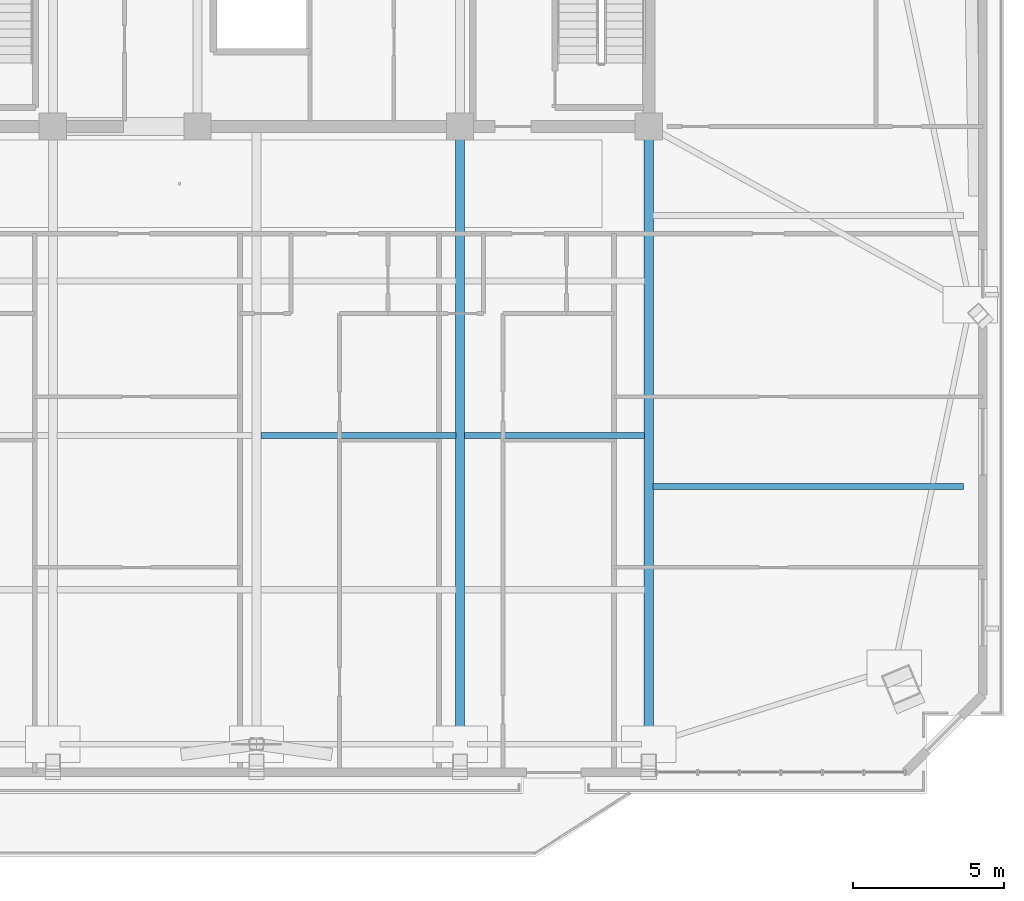
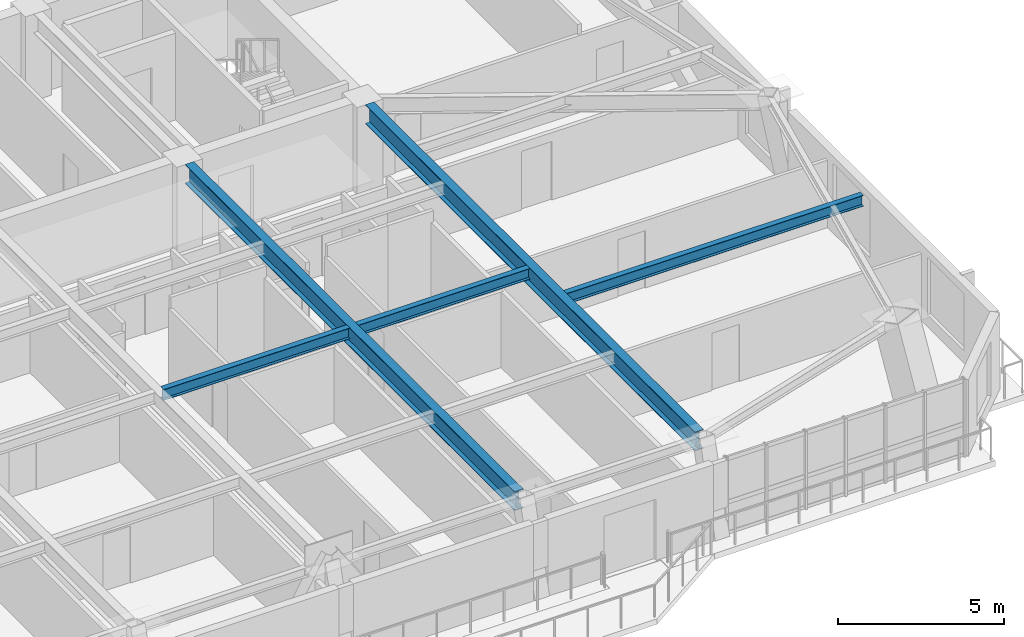
# One storey, part 5 of 18: 5 beams.
"""IFC4 building model written with IfcOpenShell, lengths in metres."""

from ifc_helpers import new_model, si_unit, direction, frame, origin, origin_2d, place, context, subcontext, project, spatial, i_section, extrude, source, transform, mapped, material, material_profile, profile_set, type_object, element, save


model = new_model("IFC4")

# Units and contexts
model_context = context("Model", 3, precision=1e-05, world=origin(), true_north=direction((0.0, 1.0)))
body_context = subcontext(model_context, "Body", "Model", "MODEL_VIEW")
ifc_project = project(units=[si_unit("LENGTHUNIT", "METRE"), si_unit("AREAUNIT", "SQUARE_METRE"), si_unit("VOLUMEUNIT", "CUBIC_METRE"), si_unit("PLANEANGLEUNIT", "RADIAN"), si_unit("MASSUNIT", "GRAM", prefix="KILO")], contexts=[model_context])

# Site, building, storey
site_placement = place(None, origin())
site = spatial("IfcSite", under=ifc_project, at=site_placement, CompositionType="ELEMENT")
building_placement = place(site_placement, origin())
building = spatial("IfcBuilding", under=site, at=building_placement, Name="Giltprow Tower", CompositionType="ELEMENT")
storey_placement = place(building_placement, frame((0.0, 0.0, 265.5)))
storey = spatial("IfcBuildingStorey", under=building, at=storey_placement, Name="L68", CompositionType="ELEMENT", Elevation=265.5)

# Beams
ifc_material = material(Name="Structural steel Q355B", Category="steel")
ifc_material_profile_1 = material_profile(ifc_material, i_section(OverallWidth=0.199951171875, OverallDepth=0.39990234375, WebThickness=0.008056640625, FlangeThickness=0.012939453125, at=origin_2d()), Name="HN 400x200x8x13")
ifc_profile_set_1 = profile_set([ifc_material_profile_1], Name="Structural steel Q355B")
beam_type_1 = type_object("IfcBeamType", Name="BM-JOIST-HN400", PredefinedType="JOIST", material=ifc_profile_set_1)
shared_shape_1 = source(origin(), body_context, "Body", "SweptSolid", [
    extrude(i_section(OverallWidth=0.199951171875, OverallDepth=0.39990234375, WebThickness=0.008056640625, FlangeThickness=0.012939453125, at=origin_2d()), origin(), (0.0, 0.0, 1.0), 6.4599609375),
])
beam_1_placement = place(storey_placement, frame((37.695068359375, 27.212890625, 2.985107421875), z_axis=(1.0, 0.0, 0.0), x_axis=(0.0, 1.0, 0.0)))
element("IfcBeam", 1, at=beam_1_placement, inside=storey, type_object=beam_type_1, Name="L68 Composite Floor Joist 2-3", PredefinedType="JOIST", context=body_context, shape_type="MappedRepresentation", body=[
    mapped(shared_shape_1, transform((0.0, 0.0, 0.0), x_axis=(1.0, 0.0, 0.0), y_axis=(0.0, 1.0, 0.0), z_axis=(0.0, 0.0, 1.0), scale=1.0)),
])
shared_shape_2 = source(origin(), body_context, "Body", "SweptSolid", [
    extrude(i_section(OverallWidth=0.199951171875, OverallDepth=0.39990234375, WebThickness=0.008056640625, FlangeThickness=0.012939453125, at=origin_2d()), origin(), (0.0, 0.0, 1.0), 5.9599609375),
])
beam_2_placement = place(storey_placement, frame((44.445068359375, 27.212890625, 2.985107421875), z_axis=(1.0, 0.0, 0.0), x_axis=(0.0, 1.0, 0.0)))
element("IfcBeam", 2, at=beam_2_placement, inside=storey, type_object=beam_type_1, Name="L68 Composite Floor Joist 2-4", PredefinedType="JOIST", context=body_context, shape_type="MappedRepresentation", body=[
    mapped(shared_shape_2, transform((0.0, 0.0, 0.0), x_axis=(1.0, 0.0, 0.0), y_axis=(0.0, 1.0, 0.0), z_axis=(0.0, 0.0, 1.0), scale=1.0)),
])
ifc_material_profile_2 = material_profile(ifc_material, i_section(OverallWidth=0.300048828125, OverallDepth=0.699951171875, WebThickness=0.012939453125, FlangeThickness=0.02392578125, at=origin_2d()), Name="HN 700x300x13x24")
ifc_profile_set_2 = profile_set([ifc_material_profile_2], Name="Structural steel Q355B")
beam_type_2 = type_object("IfcBeamType", Name="BM-GIRD-HN700", PredefinedType="BEAM", material=ifc_profile_set_2)
shared_shape_3 = source(origin(), body_context, "Body", "SweptSolid", [
    extrude(i_section(OverallWidth=0.300048828125, OverallDepth=0.699951171875, WebThickness=0.012939453125, FlangeThickness=0.02392578125, at=origin_2d()), origin(), (0.0, 0.0, 1.0), 19.803955078125),
])
for number, where, z_axis, x_axis, name in (
    (3, (44.300048828125, 17.2109375, 2.8349609375), (0.0, 1.0, 0.0), (-1.0, 0.0, 0.0), "L68 Primary Lease Girder S3"),
    (4, (50.550048828125, 17.2109375, 2.8349609375), (0.0, 1.0, 0.0), (-1.0, 0.0, 0.0), "L68 Primary Lease Girder S4"),
):
    element("IfcBeam", number, at=place(storey_placement, frame(where, z_axis=z_axis, x_axis=x_axis)), inside=storey, type_object=beam_type_2, Name=name, PredefinedType="BEAM", context=body_context, shape_type="MappedRepresentation", body=[
        mapped(shared_shape_3, transform((0.0, 0.0, 0.0), x_axis=(1.0, 0.0, 0.0), y_axis=(0.0, 1.0, 0.0), z_axis=(0.0, 0.0, 1.0), scale=1.0)),
    ])
shared_shape_4 = source(origin(), body_context, "Body", "SweptSolid", [
    extrude(i_section(OverallWidth=0.199951171875, OverallDepth=0.39990234375, WebThickness=0.008056640625, FlangeThickness=0.012939453125, at=origin_2d()), origin(), (0.0, 0.0, 1.0), 10.2919921875),
])
beam_3_placement = place(storey_placement, frame((50.695068359375, 25.51806640625, 2.985107421875), z_axis=(1.0, 0.0, 0.0), x_axis=(0.0, 1.0, 0.0)))
element("IfcBeam", 5, at=beam_3_placement, inside=storey, type_object=beam_type_1, Name="L68 East Wing Floor Joist 1", PredefinedType="JOIST", context=body_context, shape_type="MappedRepresentation", body=[
    mapped(shared_shape_4, transform((0.0, 0.0, 0.0), x_axis=(1.0, 0.0, 0.0), y_axis=(0.0, 1.0, 0.0), z_axis=(0.0, 0.0, 1.0), scale=1.0)),
])

save(model, "model.ifc")
